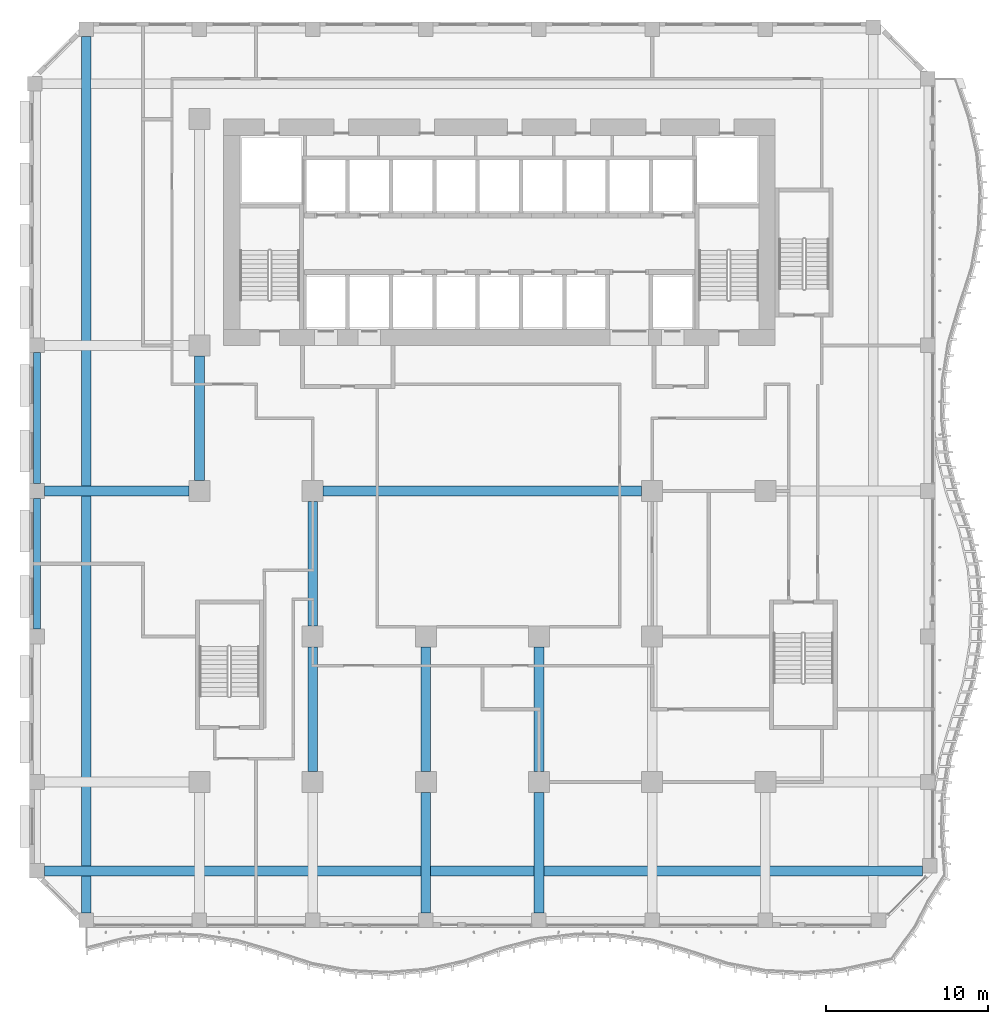
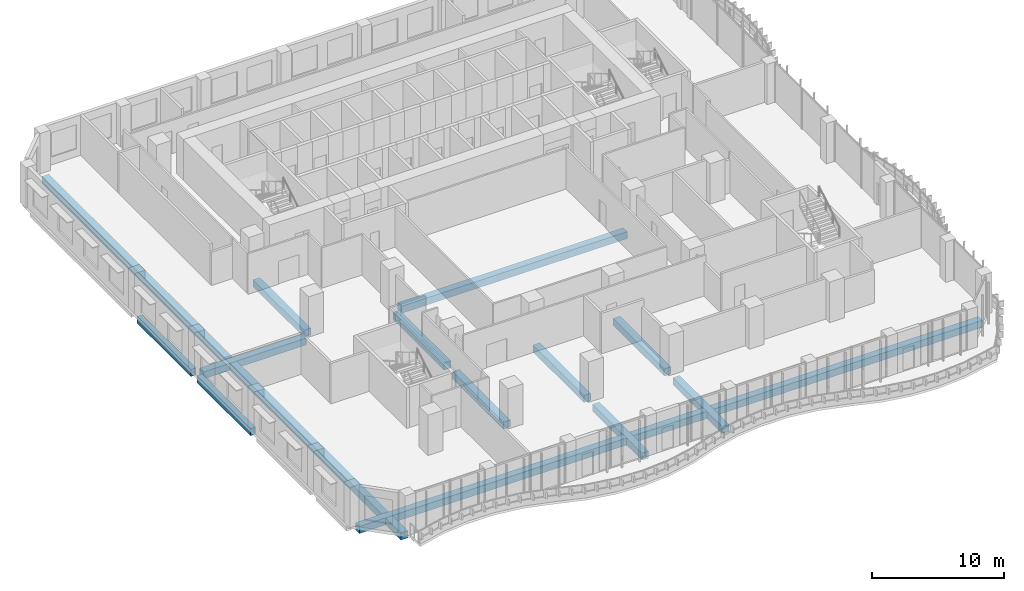
# One storey, part 3 of 24: 13 beams.
"""IFC4 building model written with IfcOpenShell, lengths in metres."""

from ifc_helpers import new_model, si_unit, direction, frame, origin, origin_2d, place, context, subcontext, project, spatial, rectangle, extrude, source, transform, mapped, material, material_profile, profile_set, type_object, element, save


model = new_model("IFC4")

# Units and contexts
model_context = context("Model", 3, precision=1e-05, world=origin(), true_north=direction((0.0, 1.0)))
body_context = subcontext(model_context, "Body", "Model", "MODEL_VIEW")
ifc_project = project(units=[si_unit("LENGTHUNIT", "METRE"), si_unit("AREAUNIT", "SQUARE_METRE"), si_unit("VOLUMEUNIT", "CUBIC_METRE"), si_unit("PLANEANGLEUNIT", "RADIAN"), si_unit("MASSUNIT", "GRAM", prefix="KILO")], contexts=[model_context])

# Site, building, storey
site_placement = place(None, origin())
site = spatial("IfcSite", under=ifc_project, at=site_placement, CompositionType="ELEMENT")
building_placement = place(site_placement, origin())
building = spatial("IfcBuilding", under=site, at=building_placement, Name="Kilnfold Tower and Market Hall", CompositionType="ELEMENT")
storey_placement = place(building_placement, frame((0.0, 0.0, 35.0)))
storey = spatial("IfcBuildingStorey", under=building, at=storey_placement, Name="L07", CompositionType="ELEMENT", Elevation=35.0)

# Beams
ifc_material_1 = material(Name="Concrete C45", Category="concrete")
ifc_material_profile_1 = material_profile(ifc_material_1, rectangle(XDim=0.60009765625, YDim=0.64990234375, at=origin_2d()), Name="RC 600x650")
ifc_profile_set_1 = profile_set([ifc_material_profile_1], Name="Concrete C45")
beam_type_1 = type_object("IfcBeamType", Name="BEAM 600X650 C45", PredefinedType="BEAM", material=ifc_profile_set_1)
shared_shape_1 = source(origin(), body_context, "Body", "SweptSolid", [
    extrude(rectangle(XDim=0.60009765625, YDim=0.64990234375, at=origin_2d()), origin(), (0.0, 0.0, 1.0), 8.9501953125),
])
beam_1_placement = place(storey_placement, frame((-27.10009765625, -1.0, -0.60498046875), z_axis=(1.0, 0.0, 0.0), x_axis=(0.0, 1.0, 0.0)))
element("IfcBeam", 1, at=beam_1_placement, inside=storey, type_object=beam_type_1, Name="Beam BB650-B1.16", PredefinedType="BEAM", context=body_context, shape_type="MappedRepresentation", body=[
    mapped(shared_shape_1, transform((0.0, 0.0, 0.0))),
])
shared_shape_2 = source(origin(), body_context, "Body", "SweptSolid", [
    extrude(rectangle(XDim=0.60009765625, YDim=0.64990234375, at=origin_2d()), origin(), (0.0, 0.0, 1.0), 19.7001953125),
])
beam_2_placement = place(storey_placement, frame((-9.85009765625, -1.0, -0.60498046875), z_axis=(1.0, 0.0, 0.0), x_axis=(0.0, 1.0, 0.0)))
element("IfcBeam", 2, at=beam_2_placement, inside=storey, type_object=beam_type_1, Name="Beam BB650-B1.18", PredefinedType="BEAM", context=body_context, shape_type="MappedRepresentation", body=[
    mapped(shared_shape_2, transform((0.0, 0.0, 0.0))),
])
shared_shape_3 = source(origin(), body_context, "Body", "SweptSolid", [
    extrude(rectangle(XDim=0.60009765625, YDim=0.64990234375, at=origin_2d()), origin(), (0.0, 0.0, 1.0), 54.331787109375),
])
beam_3_placement = place(storey_placement, frame((-27.10009765625, -24.5, -0.60498046875), z_axis=(1.0, 0.0, 0.0), x_axis=(0.0, 1.0, 0.0)))
element("IfcBeam", 3, at=beam_3_placement, inside=storey, type_object=beam_type_1, Name="Beam BB650-B1.55", PredefinedType="BEAM", context=body_context, shape_type="MappedRepresentation", body=[
    mapped(shared_shape_3, transform((0.0, 0.0, 0.0))),
])
ifc_material_2 = material(Name="Concrete C45", Category="concrete")
ifc_material_profile_2 = material_profile(ifc_material_2, rectangle(XDim=0.449951171875, YDim=0.64990234375, at=origin_2d()), Name="RC 450x650")
ifc_profile_set_2 = profile_set([ifc_material_profile_2], Name="Concrete C45")
beam_type_2 = type_object("IfcBeamType", Name="EDGE BEAM 450X650 C45", PredefinedType="BEAM", material=ifc_profile_set_2)
shared_shape_4 = source(origin(), body_context, "Body", "SweptSolid", [
    extrude(rectangle(XDim=0.449951171875, YDim=0.64990234375, at=origin_2d()), origin(), (0.0, 0.0, 1.0), 8.10009765625),
])
for number, where, z_axis, x_axis, name in (
    (4, (-27.550048828125, -9.550048828125, -0.60498046875), (0.0, 1.0, 0.0), (-1.0, 0.0, 0.0), "Beam EB650-B1.32"),
    (5, (-27.550048828125, -0.550048828125, -0.60498046875), (0.0, 1.0, 0.0), (-1.0, 0.0, 0.0), "Beam EB650-B1.33"),
):
    element("IfcBeam", number, at=place(storey_placement, frame(where, z_axis=z_axis, x_axis=x_axis)), inside=storey, type_object=beam_type_2, Name=name, PredefinedType="BEAM", context=body_context, shape_type="MappedRepresentation", body=[
        mapped(shared_shape_4, transform((0.0, 0.0, 0.0))),
    ])
shared_shape_5 = source(origin(), body_context, "Body", "SweptSolid", [
    extrude(rectangle(XDim=0.60009765625, YDim=0.64990234375, at=origin_2d()), origin(), (0.0, 0.0, 1.0), 54.2001953125),
])
beam_4_placement = place(storey_placement, frame((-24.5, -27.10009765625, -0.60498046875), z_axis=(0.0, 1.0, 0.0), x_axis=(-1.0, 0.0, 0.0)))
element("IfcBeam", 6, at=beam_4_placement, inside=storey, type_object=beam_type_1, Name="Beam BB650-B1.35", PredefinedType="BEAM", context=body_context, shape_type="MappedRepresentation", body=[
    mapped(shared_shape_5, transform((0.0, 0.0, 0.0))),
])
shared_shape_6 = source(origin(), body_context, "Body", "SweptSolid", [
    extrude(rectangle(XDim=0.60009765625, YDim=0.64990234375, at=origin_2d()), origin(), (0.0, 0.0, 1.0), 7.4501953125),
])
for number, where, z_axis, x_axis, name in (
    (7, (-3.5, -27.10009765625, -0.60498046875), (0.0, 1.0, 0.0), (-1.0, 0.0, 0.0), "Beam BB650-B1.43"),
    (8, (3.5, -27.10009765625, -0.60498046875), (0.0, 1.0, 0.0), (-1.0, 0.0, 0.0), "Beam BB650-B1.45"),
):
    element("IfcBeam", number, at=place(storey_placement, frame(where, z_axis=z_axis, x_axis=x_axis)), inside=storey, type_object=beam_type_1, Name=name, PredefinedType="BEAM", context=body_context, shape_type="MappedRepresentation", body=[
        mapped(shared_shape_6, transform((0.0, 0.0, 0.0))),
    ])
shared_shape_7 = source(origin(), body_context, "Body", "SweptSolid", [
    extrude(rectangle(XDim=0.60009765625, YDim=0.64990234375, at=origin_2d()), origin(), (0.0, 0.0, 1.0), 7.7001953125),
])
for number, where, z_axis, x_axis, name in (
    (9, (-17.5, -0.35009765625, -0.60498046875), (0.0, 1.0, 0.0), (-1.0, 0.0, 0.0), "Beam BB650-B1.37"),
    (10, (-10.5, -18.35009765625, -0.60498046875), (0.0, 1.0, 0.0), (-1.0, 0.0, 0.0), "Beam BB650-B1.41"),
    (11, (-10.5, -9.35009765625, -0.60498046875), (0.0, 1.0, 0.0), (-1.0, 0.0, 0.0), "Beam BB650-B1.42"),
    (12, (-3.5, -18.35009765625, -0.60498046875), (0.0, 1.0, 0.0), (-1.0, 0.0, 0.0), "Beam BB650-B1.44"),
    (13, (3.5, -18.35009765625, -0.60498046875), (0.0, 1.0, 0.0), (-1.0, 0.0, 0.0), "Beam BB650-B1.46"),
):
    element("IfcBeam", number, at=place(storey_placement, frame(where, z_axis=z_axis, x_axis=x_axis)), inside=storey, type_object=beam_type_1, Name=name, PredefinedType="BEAM", context=body_context, shape_type="MappedRepresentation", body=[
        mapped(shared_shape_7, transform((0.0, 0.0, 0.0))),
    ])

save(model, "model.ifc")
